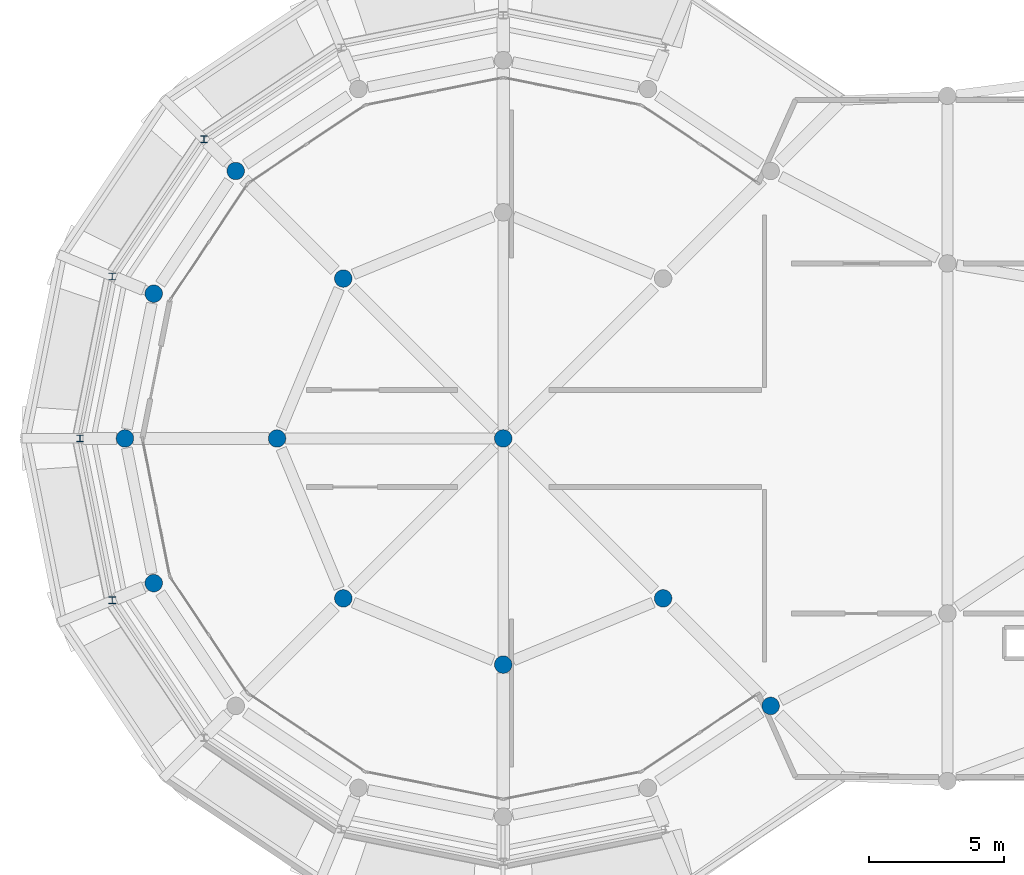
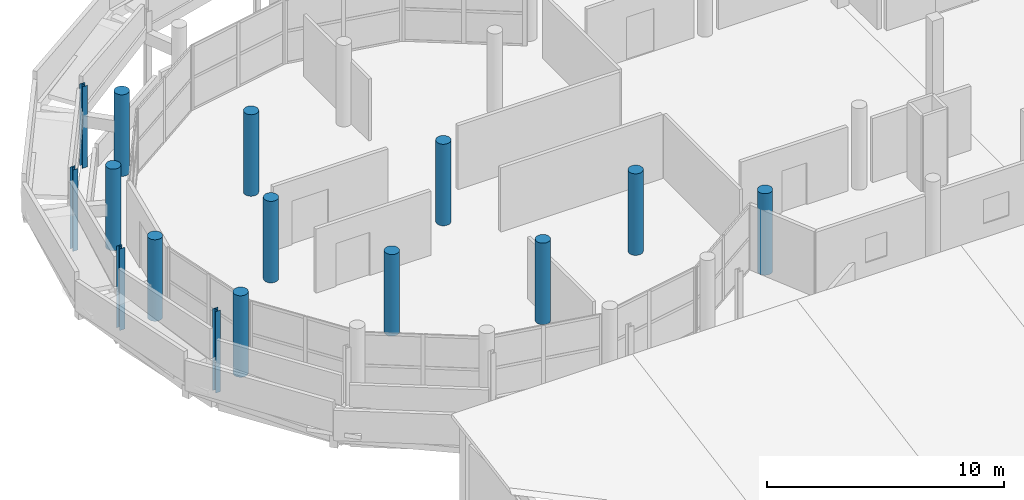
# One storey, part 3 of 83: 15 columns.
"""IFC4 building model written with IfcOpenShell, lengths in metres."""

from ifc_helpers import new_model, si_unit, direction, frame, origin, origin_2d, place, context, subcontext, project, spatial, circle, i_section, extrude, material, material_profile, profile_set, type_object, element, save


model = new_model("IFC4")

# Units and contexts
model_context = context("Model", 3, precision=1e-05, world=origin(), true_north=direction((0.0, 1.0)))
body_context = subcontext(model_context, "Body", "Model", "MODEL_VIEW")
ifc_project = project(units=[si_unit("LENGTHUNIT", "METRE"), si_unit("AREAUNIT", "SQUARE_METRE"), si_unit("VOLUMEUNIT", "CUBIC_METRE"), si_unit("PLANEANGLEUNIT", "RADIAN"), si_unit("MASSUNIT", "GRAM", prefix="KILO")], contexts=[model_context])

# Site, building, storey
site_placement = place(None, origin())
site = spatial("IfcSite", under=ifc_project, at=site_placement, CompositionType="ELEMENT")
building_placement = place(site_placement, origin())
building = spatial("IfcBuilding", under=site, at=building_placement, Name="Jelvoka-Kovrelna Polytechnic", CompositionType="ELEMENT")
storey_placement = place(building_placement, frame((0.0, 0.0, 13.800048828125)))
storey = spatial("IfcBuildingStorey", under=building, at=storey_placement, Name="L04", CompositionType="ELEMENT", Elevation=13.800048828125)

# Columns
ifc_material_1 = material(Name="Concrete C40/50", Category="concrete")
ifc_material_profile_1 = material_profile(ifc_material_1, circle(Radius=0.324951171875, at=origin_2d()), Name="RC D650")
ifc_profile_set_1 = profile_set([ifc_material_profile_1], Name="Concrete C40/50")
column_type_1 = type_object("IfcColumnType", Name="Col_RC_D650", PredefinedType="COLUMN", material=ifc_profile_set_1)
for number, where, z_axis, x_axis, name in (
    (1, (35.434814453125, 32.565185546875, 0.0), (0.0, 0.0, 1.0), (1.0, 0.0, 0.0), "L04 column 0582"),
    (2, (25.5, 34.10009765625, 0.0), (0.0, 0.0, 1.0), (1.0, 0.0, 0.0), "L04 column 0588"),
    (3, (19.560302734375, 36.560302734375, 0.0), (0.0, 0.0, 1.0), (1.0, 0.0, 0.0), "L04 column 0600"),
    (4, (31.439697265625, 36.560302734375, 0.0), (0.0, 0.0, 1.0), (1.0, 0.0, 0.0), "L04 column 0606"),
    (5, (12.51953125, 37.123291015625, 0.0), (0.0, 0.0, 1.0), (1.0, 0.0, 0.0), "L04 column 0612"),
    (6, (11.449951171875, 42.5, 0.0), (0.0, 0.0, 1.0), (1.0, 0.0, 0.0), "L04 column 0758"),
    (7, (17.10009765625, 42.5, 0.0), (0.0, 0.0, 1.0), (1.0, 0.0, 0.0), "L04 column 0764"),
    (8, (25.5, 42.5, 0.0), (0.0, 0.0, 1.0), (1.0, 0.0, 0.0), "L04 column 0770"),
    (9, (12.51953125, 47.876708984375, 0.0), (0.0, 0.0, 1.0), (1.0, 0.0, 0.0), "L04 column 0776"),
    (10, (19.560302734375, 48.439697265625, 0.0), (0.0, 0.0, 1.0), (1.0, 0.0, 0.0), "L04 column 0922"),
    (11, (15.565185546875, 52.434814453125, 0.0), (0.0, 0.0, 1.0), (1.0, 0.0, 0.0), "L04 column 0946"),
):
    element("IfcColumn", number, at=place(storey_placement, frame(where, z_axis=z_axis, x_axis=x_axis)), inside=storey, type_object=column_type_1, Name=name, PredefinedType="COLUMN", context=body_context, shape_type="SweptSolid", body=[
        extrude(circle(Radius=0.324951171875, at=origin_2d()), origin(), (0.0, 0.0, 1.0), 4.199951171875),
    ])
ifc_material_2 = material(Name="Structural steel S355JR", Category="steel")
ifc_material_profile_2 = material_profile(ifc_material_2, i_section(OverallWidth=0.254638671875, OverallDepth=0.254150390625, WebThickness=0.008544921875, FlangeThickness=0.01416015625, FilletRadius=0.0126953125, at=origin_2d()), Name="254x254x73 UC")
ifc_profile_set_2 = profile_set([ifc_material_profile_2], Name="Structural steel S355JR")
column_type_2 = type_object("IfcColumnType", Name="Col_Steel_UC254", PredefinedType="COLUMN", material=ifc_profile_set_2)
for number, where, z_axis, x_axis, name in (
    (12, (14.38427734375, 53.61572265625, 0.0), (0.0, 0.0, 1.0), (1.0, 0.0, 0.0), "L04 recessed rotunda gallery post 1744"),
    (13, (10.9765625, 48.515869140625, 0.0), (0.0, 0.0, 1.0), (1.0, 0.0, 0.0), "L04 recessed rotunda gallery post 1750"),
    (14, (9.780029296875, 42.5, 0.0), (0.0, 0.0, 1.0), (1.0, 0.0, 0.0), "L04 recessed rotunda gallery post 1756"),
    (15, (10.9765625, 36.484130859375, 0.0), (0.0, 0.0, 1.0), (1.0, 0.0, 0.0), "L04 recessed rotunda gallery post 1762"),
):
    element("IfcColumn", number, at=place(storey_placement, frame(where, z_axis=z_axis, x_axis=x_axis)), inside=storey, type_object=column_type_2, Name=name, PredefinedType="COLUMN", context=body_context, shape_type="SweptSolid", body=[
        extrude(i_section(OverallWidth=0.254638671875, OverallDepth=0.254150390625, WebThickness=0.008544921875, FlangeThickness=0.01416015625, FilletRadius=0.0126953125, at=origin_2d()), origin(), (0.0, 0.0, 1.0), 4.199951171875),
    ])

save(model, "model.ifc")
